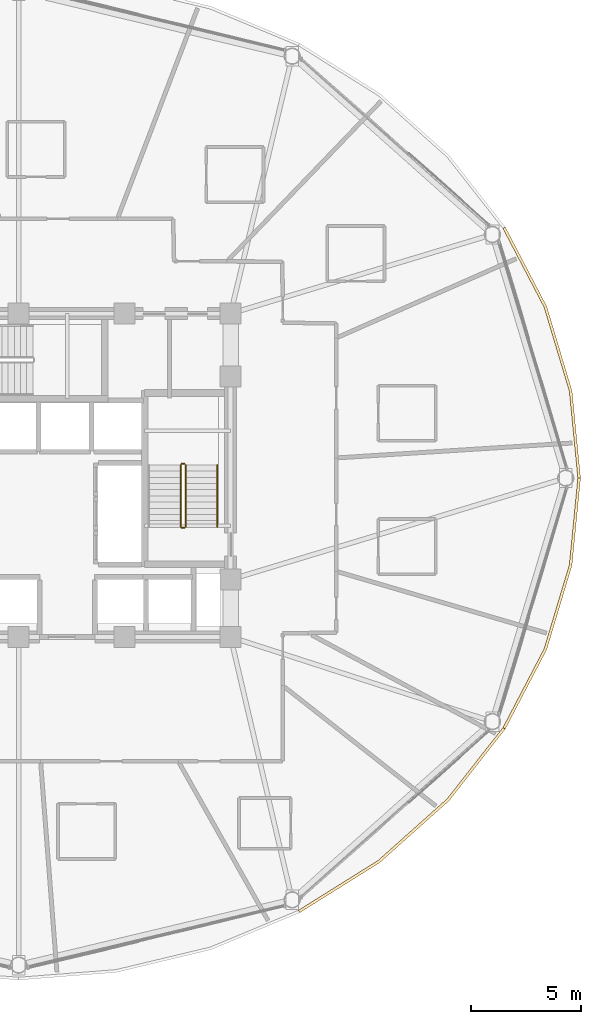
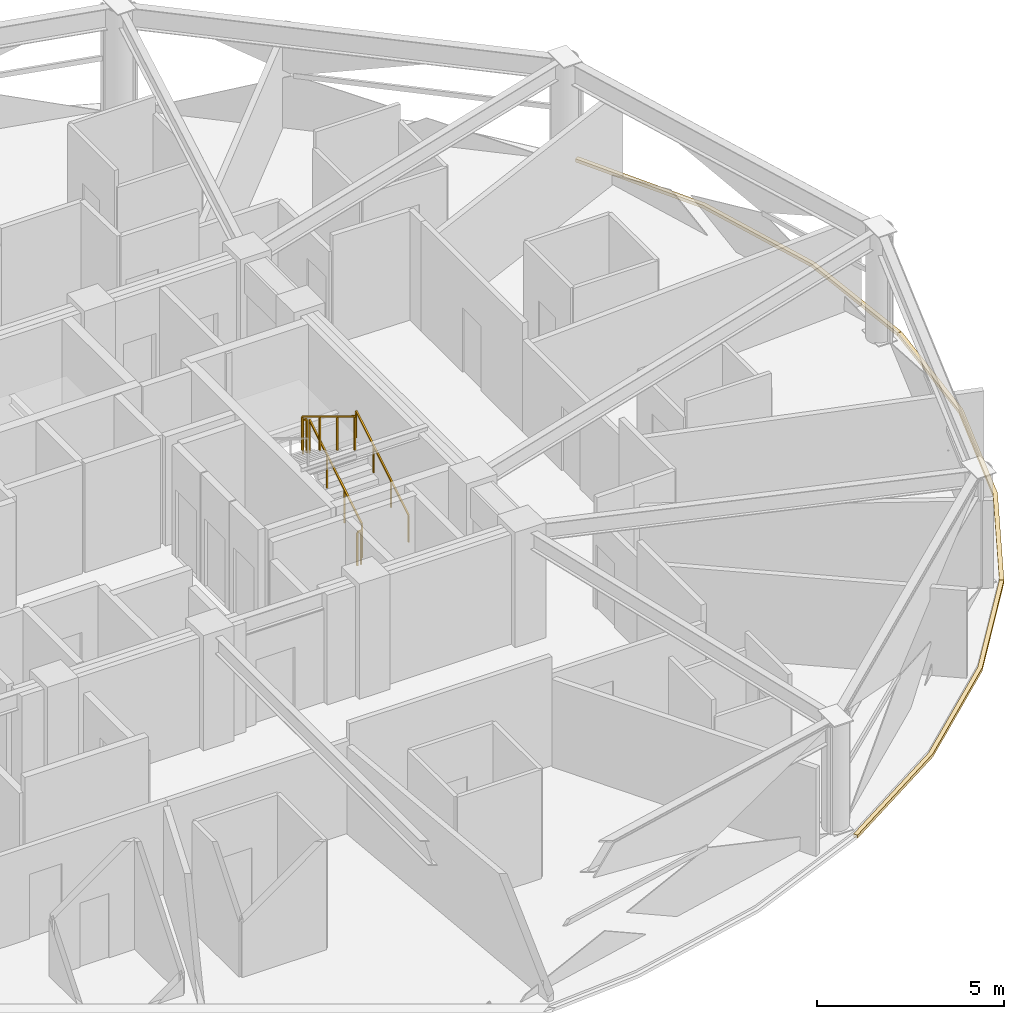
# One storey, part 29 of 30: 5 railings, 3 coverings.
"""IFC4 building model written with IfcOpenShell, lengths in metres."""

from ifc_helpers import new_model, si_unit, direction, frame, origin, origin_2d, place, context, subcontext, project, spatial, polyline, rectangle, outline, extrude, material, layer, layer_set, type_object, element, save


model = new_model("IFC4")

# Units and contexts
model_context = context("Model", 3, precision=1e-05, world=origin(), true_north=direction((0.0, 1.0)))
body_context = subcontext(model_context, "Body", "Model", "MODEL_VIEW")
ifc_project = project(units=[si_unit("LENGTHUNIT", "METRE"), si_unit("AREAUNIT", "SQUARE_METRE"), si_unit("VOLUMEUNIT", "CUBIC_METRE"), si_unit("PLANEANGLEUNIT", "RADIAN"), si_unit("MASSUNIT", "GRAM", prefix="KILO")], contexts=[model_context])

# Site, building, storey
site_placement = place(None, origin())
site = spatial("IfcSite", under=ifc_project, at=site_placement, CompositionType="ELEMENT")
building_placement = place(site_placement, origin())
building = spatial("IfcBuilding", under=site, at=building_placement, Name="Vantalir Tower", CompositionType="ELEMENT")
storey_placement = place(building_placement, frame((0.0, 0.0, 153.449951171875)))
storey = spatial("IfcBuildingStorey", under=building, at=storey_placement, Name="L38", CompositionType="ELEMENT", Elevation=153.449951171875)

# Coverings
ifc_material_1 = material(Name="Anodised champagne aluminium sill fascia", Category="aluminium")
ifc_layer = layer(ifc_material_1, 0.125)
ifc_layer_set = layer_set([ifc_layer], Name="Anodised champagne aluminium sill fascia")
covering_type = type_object("IfcCoveringType", Name="COV-SLAB-FASCIA-125", PredefinedType="CLADDING", material=ifc_layer_set)
covering_1_placement = place(storey_placement, frame((0.0, 0.0, -0.179931640625)))
element("IfcCovering", 1, at=covering_1_placement, inside=storey, type_object=covering_type, Name="L38 Perimeter Slab-Edge Sill Fascia 01", PredefinedType="CLADDING", context=body_context, shape_type="SweptSolid", body=[
    extrude(outline(polyline([(56.9580078125, 25.0), (56.571044921875, 28.948974609375), (55.423095703125, 32.779052734375), (53.547119140625, 36.3720703125), (53.43896484375, 36.30908203125), (55.304931640625, 32.736083984375), (56.447998046875, 28.927978515625), (56.8330078125, 25.0), (56.9580078125, 25.0)])), origin(), (0.0, 0.0, 1.0), 0.10498046875),
])
covering_2_placement = place(storey_placement, frame((0.0, 0.0, -0.179931640625)))
element("IfcCovering", 2, at=covering_2_placement, inside=storey, type_object=covering_type, Name="L38 Perimeter Slab-Edge Sill Fascia 11", PredefinedType="CLADDING", context=body_context, shape_type="SweptSolid", body=[
    extrude(outline(polyline([(44.22900390625, 5.302978515625), (47.864013671875, 7.576904296875), (51.001953125, 10.3798828125), (53.547119140625, 13.6279296875), (53.43896484375, 13.68994140625), (50.906005859375, 10.4609375), (47.783935546875, 7.673095703125), (44.1669921875, 5.410888671875), (44.22900390625, 5.302978515625)])), origin(), (0.0, 0.0, 1.0), 0.10498046875),
])
covering_3_placement = place(storey_placement, frame((0.0, 0.0, -0.179931640625)))
element("IfcCovering", 3, at=covering_3_placement, inside=storey, type_object=covering_type, Name="L38 Perimeter Slab-Edge Sill Fascia 12", PredefinedType="CLADDING", context=body_context, shape_type="SweptSolid", body=[
    extrude(outline(polyline([(53.547119140625, 13.6279296875), (55.423095703125, 17.220947265625), (56.571044921875, 21.051025390625), (56.9580078125, 25.0), (56.8330078125, 25.0), (56.447998046875, 21.072021484375), (55.304931640625, 17.263916015625), (53.43896484375, 13.68994140625), (53.547119140625, 13.6279296875)])), origin(), (0.0, 0.0, 1.0), 0.10498046875),
])

# Railings
ifc_material_2 = material(Name="Anodised aluminium and stainless steel guard", Category="steel")
railing_type_1 = type_object("IfcRailingType", Name="RAL-GUARD-1120", PredefinedType="GUARDRAIL", material=ifc_material_2)
railing_1_placement = place(storey_placement, frame((39.06005859375, 22.7900390625, 0.17041015625)))
element("IfcRailing", 4, at=railing_1_placement, inside=storey, type_object=railing_type_1, Name="L38 ST2 stair guard 1", PredefinedType="GUARDRAIL", context=body_context, shape_type="SweptSolid", body=[
    extrude(rectangle(XDim=0.048095703125, YDim=0.048095703125, at=origin_2d()), frame((0.0, 0.0, 1.09619140625), z_axis=(0.0, 0.854169791009, 0.51999420009), x_axis=(-1.0, 0.0, 0.0)), (0.0, 0.0, 1.0), 3.278076171875),
    extrude(rectangle(XDim=0.0419921875, YDim=0.0419921875, at=origin_2d()), origin(), (0.0, 0.0, 1.0), 1.072021484375),
    extrude(rectangle(XDim=0.0419921875, YDim=0.0419921875, at=origin_2d()), frame((0.0, 0.933349609375, 0.568115234375)), (0.0, 0.0, 1.0), 1.072021484375),
    extrude(rectangle(XDim=0.0419921875, YDim=0.0419921875, at=origin_2d()), frame((0.0, 1.86669921875, 1.136474609375)), (0.0, 0.0, 1.0), 1.072021484375),
    extrude(rectangle(XDim=0.0419921875, YDim=0.0419921875, at=origin_2d()), frame((0.0, 2.800048828125, 1.70458984375)), (0.0, 0.0, 1.0), 1.072021484375),
])
railing_2_placement = place(storey_placement, frame((39.010009765625, 25.639892578125, 1.875)))
element("IfcRailing", 5, at=railing_2_placement, inside=storey, type_object=railing_type_1, Name="L38 ST2 stair guard 2", PredefinedType="GUARDRAIL", context=body_context, shape_type="SweptSolid", body=[
    extrude(rectangle(XDim=0.048095703125, YDim=0.048095703125, at=origin_2d()), frame((0.0, 0.0, 1.09619140625), z_axis=(-1.0, 0.0, 0.0), x_axis=(0.0, -1.0, 0.0)), (0.0, 0.0, 1.0), 0.1201171875),
    extrude(rectangle(XDim=0.0419921875, YDim=0.0419921875, at=origin_2d()), origin(), (0.0, 0.0, 1.0), 1.072021484375),
    extrude(rectangle(XDim=0.0419921875, YDim=0.0419921875, at=origin_2d()), frame((-0.1201171875, 0.0, 0.0)), (0.0, 0.0, 1.0), 1.072021484375),
])
railing_3_placement = place(storey_placement, frame((38.840087890625, 25.590087890625, 2.04541015625)))
element("IfcRailing", 6, at=railing_3_placement, inside=storey, type_object=railing_type_1, Name="L38 ST2 stair guard 3", PredefinedType="GUARDRAIL", context=body_context, shape_type="SweptSolid", body=[
    extrude(rectangle(XDim=0.048095703125, YDim=0.048095703125, at=origin_2d()), frame((0.0, 0.0, 1.09619140625), z_axis=(0.0, -0.854169791009, 0.51999420009), x_axis=(1.0, 0.0, 0.0)), (0.0, 0.0, 1.0), 3.278076171875),
    extrude(rectangle(XDim=0.0419921875, YDim=0.0419921875, at=origin_2d()), origin(), (0.0, 0.0, 1.0), 1.072021484375),
    extrude(rectangle(XDim=0.0419921875, YDim=0.0419921875, at=origin_2d()), frame((0.0, -0.933349609375, 0.568115234375)), (0.0, 0.0, 1.0), 1.072021484375),
    extrude(rectangle(XDim=0.0419921875, YDim=0.0419921875, at=origin_2d()), frame((0.0, -1.86669921875, 1.136474609375)), (0.0, 0.0, 1.0), 1.072021484375),
    extrude(rectangle(XDim=0.0419921875, YDim=0.0419921875, at=origin_2d()), frame((0.0, -2.800048828125, 1.70458984375)), (0.0, 0.0, 1.0), 1.072021484375),
])
railing_4_placement = place(storey_placement, frame((39.010009765625, 22.739990234375, 0.0)))
element("IfcRailing", 7, at=railing_4_placement, inside=storey, type_object=railing_type_1, Name="L38 ST2 stair guard 4", PredefinedType="GUARDRAIL", context=body_context, shape_type="SweptSolid", body=[
    extrude(rectangle(XDim=0.048095703125, YDim=0.048095703125, at=origin_2d()), frame((0.0, 0.0, 1.09619140625), z_axis=(-1.0, 0.0, 0.0), x_axis=(0.0, -1.0, 0.0)), (0.0, 0.0, 1.0), 0.1201171875),
    extrude(rectangle(XDim=0.0419921875, YDim=0.0419921875, at=origin_2d()), origin(), (0.0, 0.0, 1.0), 1.072021484375),
    extrude(rectangle(XDim=0.0419921875, YDim=0.0419921875, at=origin_2d()), frame((-0.1201171875, 0.0, 0.0)), (0.0, 0.0, 1.0), 1.072021484375),
])
ifc_material_3 = material(Name="Brushed stainless steel tubular handrail", Category="steel")
railing_type_2 = type_object("IfcRailingType", Name="RAL-HANDRAIL-900", PredefinedType="HANDRAIL", material=ifc_material_3)
railing_5_placement = place(storey_placement, frame((40.5, 22.7900390625, 0.17041015625)))
element("IfcRailing", 8, at=railing_5_placement, inside=storey, type_object=railing_type_2, Name="L38 ST2 stair handrail 1", PredefinedType="HANDRAIL", context=body_context, shape_type="SweptSolid", body=[
    extrude(rectangle(XDim=0.048095703125, YDim=0.048095703125, at=origin_2d()), frame((0.0, 0.0, 0.8759765625), z_axis=(0.0, 0.854169791009, 0.51999420009), x_axis=(-1.0, 0.0, 0.0)), (0.0, 0.0, 1.0), 3.278076171875),
    extrude(rectangle(XDim=0.0419921875, YDim=0.0419921875, at=origin_2d()), origin(), (0.0, 0.0, 1.0), 0.851806640625),
    extrude(rectangle(XDim=0.0419921875, YDim=0.0419921875, at=origin_2d()), frame((0.0, 0.933349609375, 0.568115234375)), (0.0, 0.0, 1.0), 0.851806640625),
    extrude(rectangle(XDim=0.0419921875, YDim=0.0419921875, at=origin_2d()), frame((0.0, 1.86669921875, 1.136474609375)), (0.0, 0.0, 1.0), 0.851806640625),
    extrude(rectangle(XDim=0.0419921875, YDim=0.0419921875, at=origin_2d()), frame((0.0, 2.800048828125, 1.70458984375)), (0.0, 0.0, 1.0), 0.851806640625),
])

save(model, "model.ifc")
